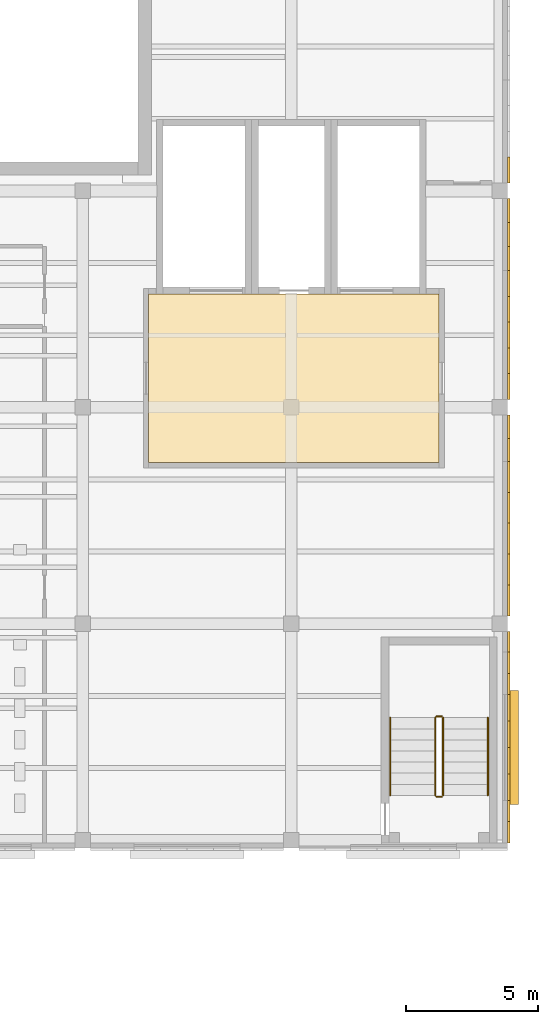
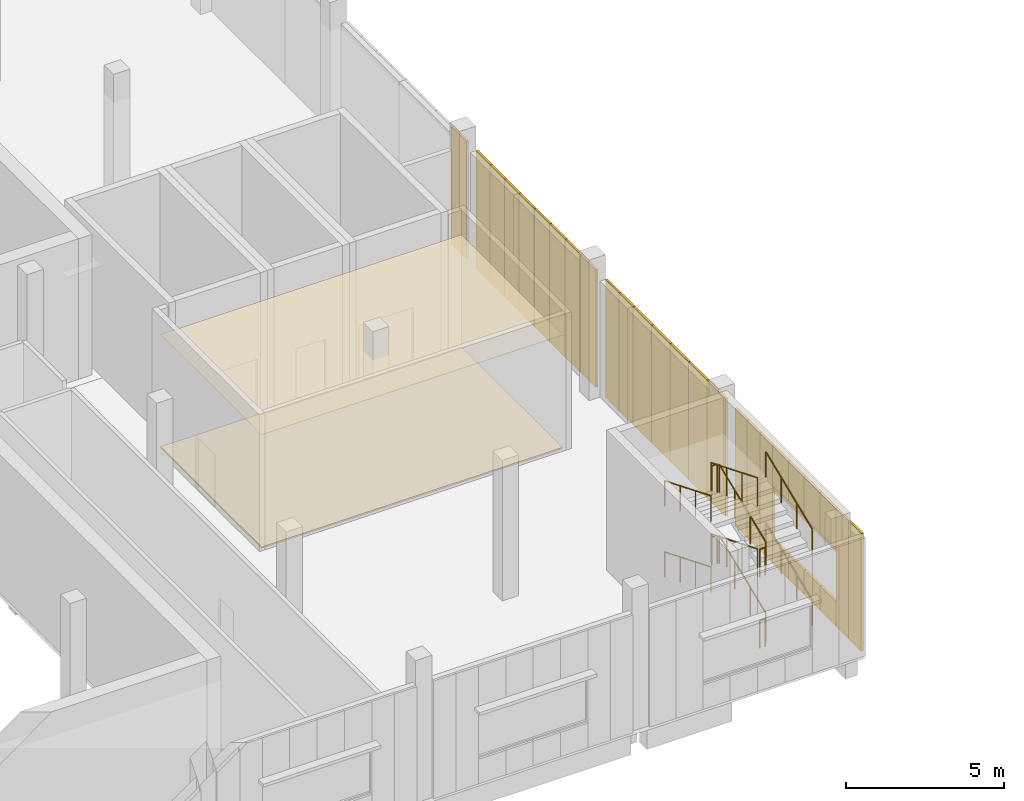
# One storey, part 108 of 112: 31 coverings, 12 railings, 1 shading device.
"""IFC4 building model written with IfcOpenShell, lengths in metres."""

from ifc_helpers import new_model, si_unit, direction, frame, origin, origin_2d, place, context, subcontext, project, spatial, polyline, rectangle, circle, outline, extrude, material, layer, layer_set, type_object, element, save


model = new_model("IFC4")

# Units and contexts
model_context = context("Model", 3, precision=1e-05, world=origin(), true_north=direction((0.0, 1.0)))
body_context = subcontext(model_context, "Body", "Model", "MODEL_VIEW")
ifc_project = project(units=[si_unit("LENGTHUNIT", "METRE"), si_unit("AREAUNIT", "SQUARE_METRE"), si_unit("VOLUMEUNIT", "CUBIC_METRE"), si_unit("PLANEANGLEUNIT", "RADIAN"), si_unit("MASSUNIT", "GRAM", prefix="KILO")], contexts=[model_context])

# Site, building, storey
site_placement = place(None, origin())
site = spatial("IfcSite", under=ifc_project, at=site_placement, CompositionType="ELEMENT")
building_placement = place(site_placement, origin())
building = spatial("IfcBuilding", under=site, at=building_placement, Name="Lunette Opera House", CompositionType="ELEMENT")
storey_placement = place(building_placement, frame((0.0, 0.0, 6.0)))
storey = spatial("IfcBuildingStorey", under=building, at=storey_placement, Name="L01", CompositionType="ELEMENT", Elevation=6.0)

# Coverings
ifc_material_1 = material(Name="Dark grey aluminium cassette", Category="aluminium")
ifc_layer_1 = layer(ifc_material_1, 0.080078125)
ifc_layer_set_1 = layer_set([ifc_layer_1], Name="Dark grey aluminium cassette")
covering_type_1 = type_object("IfcCoveringType", Name="DARK METAL CASSETTE 80", PredefinedType="CLADDING", material=ifc_layer_set_1)
for number, where, z_axis, x_axis, name in (
    (1, (184.0400390625, 78.60302734375, 0.0), (0.0, 0.0, 1.0), (0.0, 1.0, 0.0), "Dark Metal Cassette 80 WK L01"),
    (2, (184.0400390625, 79.408935546875, 0.0), (0.0, 0.0, 1.0), (0.0, 1.0, 0.0), "Dark Metal Cassette 80 WK L01"),
):
    element("IfcCovering", number, at=place(storey_placement, frame(where, z_axis=z_axis, x_axis=x_axis)), inside=storey, type_object=covering_type_1, Name=name, PredefinedType="CLADDING", context=body_context, shape_type="SweptSolid", body=[
        extrude(rectangle(XDim=0.805908203125, YDim=0.080078125, at=origin_2d()), origin(), (0.0, 0.0, 1.0), 4.550048828125),
    ])
covering_1_placement = place(storey_placement, frame((184.0400390625, 80.31201171875, 0.0), z_axis=(0.0, 0.0, 1.0), x_axis=(0.0, 1.0, 0.0)))
element("IfcCovering", 3, at=covering_1_placement, inside=storey, type_object=covering_type_1, Name="Dark Metal Cassette 80 WK L01", PredefinedType="CLADDING", context=body_context, shape_type="SweptSolid", body=[
    extrude(rectangle(XDim=1.0, YDim=0.080078125, at=origin_2d()), origin(), (0.0, 0.0, 1.0), 0.949951171875),
])
covering_2_placement = place(storey_placement, frame((184.0400390625, 80.31201171875, 3.0), z_axis=(0.0, 0.0, 1.0), x_axis=(0.0, 1.0, 0.0)))
element("IfcCovering", 4, at=covering_2_placement, inside=storey, type_object=covering_type_1, Name="Dark Metal Cassette 80 WK L01", PredefinedType="CLADDING", context=body_context, shape_type="SweptSolid", body=[
    extrude(rectangle(XDim=1.0, YDim=0.080078125, at=origin_2d()), origin(), (0.0, 0.0, 1.0), 1.550048828125),
])
covering_3_placement = place(storey_placement, frame((184.0400390625, 81.31201171875, 0.0), z_axis=(0.0, 0.0, 1.0), x_axis=(0.0, 1.0, 0.0)))
element("IfcCovering", 5, at=covering_3_placement, inside=storey, type_object=covering_type_1, Name="Dark Metal Cassette 80 WK L01", PredefinedType="CLADDING", context=body_context, shape_type="SweptSolid", body=[
    extrude(rectangle(XDim=1.0, YDim=0.080078125, at=origin_2d()), origin(), (0.0, 0.0, 1.0), 0.949951171875),
])
covering_4_placement = place(storey_placement, frame((184.0400390625, 81.31201171875, 3.0), z_axis=(0.0, 0.0, 1.0), x_axis=(0.0, 1.0, 0.0)))
element("IfcCovering", 6, at=covering_4_placement, inside=storey, type_object=covering_type_1, Name="Dark Metal Cassette 80 WK L01", PredefinedType="CLADDING", context=body_context, shape_type="SweptSolid", body=[
    extrude(rectangle(XDim=1.0, YDim=0.080078125, at=origin_2d()), origin(), (0.0, 0.0, 1.0), 1.550048828125),
])
covering_5_placement = place(storey_placement, frame((184.0400390625, 82.31201171875, 0.0), z_axis=(0.0, 0.0, 1.0), x_axis=(0.0, 1.0, 0.0)))
element("IfcCovering", 7, at=covering_5_placement, inside=storey, type_object=covering_type_1, Name="Dark Metal Cassette 80 WK L01", PredefinedType="CLADDING", context=body_context, shape_type="SweptSolid", body=[
    extrude(rectangle(XDim=1.0, YDim=0.080078125, at=origin_2d()), origin(), (0.0, 0.0, 1.0), 0.949951171875),
])
covering_6_placement = place(storey_placement, frame((184.0400390625, 82.31201171875, 3.0), z_axis=(0.0, 0.0, 1.0), x_axis=(0.0, 1.0, 0.0)))
element("IfcCovering", 8, at=covering_6_placement, inside=storey, type_object=covering_type_1, Name="Dark Metal Cassette 80 WK L01", PredefinedType="CLADDING", context=body_context, shape_type="SweptSolid", body=[
    extrude(rectangle(XDim=1.0, YDim=0.080078125, at=origin_2d()), origin(), (0.0, 0.0, 1.0), 1.550048828125),
])
covering_7_placement = place(storey_placement, frame((184.0400390625, 83.31201171875, 0.0), z_axis=(0.0, 0.0, 1.0), x_axis=(0.0, 1.0, 0.0)))
element("IfcCovering", 9, at=covering_7_placement, inside=storey, type_object=covering_type_1, Name="Dark Metal Cassette 80 WK L01", PredefinedType="CLADDING", context=body_context, shape_type="SweptSolid", body=[
    extrude(rectangle(XDim=1.0, YDim=0.080078125, at=origin_2d()), origin(), (0.0, 0.0, 1.0), 0.949951171875),
])
covering_8_placement = place(storey_placement, frame((184.0400390625, 83.31201171875, 3.0), z_axis=(0.0, 0.0, 1.0), x_axis=(0.0, 1.0, 0.0)))
element("IfcCovering", 10, at=covering_8_placement, inside=storey, type_object=covering_type_1, Name="Dark Metal Cassette 80 WK L01", PredefinedType="CLADDING", context=body_context, shape_type="SweptSolid", body=[
    extrude(rectangle(XDim=1.0, YDim=0.080078125, at=origin_2d()), origin(), (0.0, 0.0, 1.0), 1.550048828125),
])
for number, where, z_axis, x_axis, name in (
    (11, (184.0400390625, 84.215087890625, 0.0), (0.0, 0.0, 1.0), (0.0, 1.0, 0.0), "Dark Metal Cassette 80 WK L01"),
    (12, (184.0400390625, 85.02197265625, 0.0), (0.0, 0.0, 1.0), (0.0, 1.0, 0.0), "Dark Metal Cassette 80 WK L01"),
):
    element("IfcCovering", number, at=place(storey_placement, frame(where, z_axis=z_axis, x_axis=x_axis)), inside=storey, type_object=covering_type_1, Name=name, PredefinedType="CLADDING", context=body_context, shape_type="SweptSolid", body=[
        extrude(rectangle(XDim=0.805908203125, YDim=0.080078125, at=origin_2d()), origin(), (0.0, 0.0, 1.0), 4.550048828125),
    ])
covering_9_placement = place(storey_placement, frame((184.0400390625, 85.81201171875, 0.0), z_axis=(0.0, 0.0, 1.0), x_axis=(0.0, 1.0, 0.0)))
element("IfcCovering", 13, at=covering_9_placement, inside=storey, type_object=covering_type_1, Name="Dark Metal Cassette 80 WK L01", PredefinedType="CLADDING", context=body_context, shape_type="SweptSolid", body=[
    extrude(rectangle(XDim=0.77490234375, YDim=0.080078125, at=origin_2d()), origin(), (0.0, 0.0, 1.0), 4.550048828125),
])
for number, where, z_axis, x_axis, name in (
    (14, (184.0400390625, 87.385009765625, 0.0), (0.0, 0.0, 1.0), (0.0, 1.0, 0.0), "Dark Metal Cassette 80 WK L01"),
    (15, (184.0400390625, 88.554931640625, 0.0), (0.0, 0.0, 1.0), (0.0, 1.0, 0.0), "Dark Metal Cassette 80 WK L01"),
    (16, (184.0400390625, 89.72509765625, 0.0), (0.0, 0.0, 1.0), (0.0, 1.0, 0.0), "Dark Metal Cassette 80 WK L01"),
    (17, (184.0400390625, 90.89501953125, 0.0), (0.0, 0.0, 1.0), (0.0, 1.0, 0.0), "Dark Metal Cassette 80 WK L01"),
    (18, (184.0400390625, 92.06494140625, 0.0), (0.0, 0.0, 1.0), (0.0, 1.0, 0.0), "Dark Metal Cassette 80 WK L01"),
):
    element("IfcCovering", number, at=place(storey_placement, frame(where, z_axis=z_axis, x_axis=x_axis)), inside=storey, type_object=covering_type_1, Name=name, PredefinedType="CLADDING", context=body_context, shape_type="SweptSolid", body=[
        extrude(rectangle(XDim=1.169921875, YDim=0.080078125, at=origin_2d()), origin(), (0.0, 0.0, 1.0), 4.550048828125),
    ])
for number, where, z_axis, x_axis, name in (
    (19, (184.0400390625, 93.087890625, 0.0), (0.0, 0.0, 1.0), (0.0, 1.0, 0.0), "Dark Metal Cassette 80 WK L01"),
    (20, (184.0400390625, 93.962890625, 0.0), (0.0, 0.0, 1.0), (0.0, 1.0, 0.0), "Dark Metal Cassette 80 WK L01"),
):
    element("IfcCovering", number, at=place(storey_placement, frame(where, z_axis=z_axis, x_axis=x_axis)), inside=storey, type_object=covering_type_1, Name=name, PredefinedType="CLADDING", context=body_context, shape_type="SweptSolid", body=[
        extrude(rectangle(XDim=0.875, YDim=0.080078125, at=origin_2d()), origin(), (0.0, 0.0, 1.0), 4.550048828125),
    ])
for number, where, z_axis, x_axis, name in (
    (21, (184.0400390625, 95.487060546875, 0.0), (0.0, 0.0, 1.0), (0.0, 1.0, 0.0), "Dark Metal Cassette 80 WK L01"),
    (22, (184.0400390625, 96.462890625, 0.0), (0.0, 0.0, 1.0), (0.0, 1.0, 0.0), "Dark Metal Cassette 80 WK L01"),
    (23, (184.0400390625, 97.43798828125, 0.0), (0.0, 0.0, 1.0), (0.0, 1.0, 0.0), "Dark Metal Cassette 80 WK L01"),
    (24, (184.0400390625, 98.412109375, 0.0), (0.0, 0.0, 1.0), (0.0, 1.0, 0.0), "Dark Metal Cassette 80 WK L01"),
    (25, (184.0400390625, 99.387939453125, 0.0), (0.0, 0.0, 1.0), (0.0, 1.0, 0.0), "Dark Metal Cassette 80 WK L01"),
):
    element("IfcCovering", number, at=place(storey_placement, frame(where, z_axis=z_axis, x_axis=x_axis)), inside=storey, type_object=covering_type_1, Name=name, PredefinedType="CLADDING", context=body_context, shape_type="SweptSolid", body=[
        extrude(rectangle(XDim=0.97509765625, YDim=0.080078125, at=origin_2d()), origin(), (0.0, 0.0, 1.0), 4.550048828125),
    ])
for number, where, z_axis, x_axis, name in (
    (26, (184.0400390625, 100.3291015625, 0.0), (0.0, 0.0, 1.0), (0.0, 1.0, 0.0), "Dark Metal Cassette 80 WK L01"),
    (27, (184.0400390625, 101.237060546875, 0.0), (0.0, 0.0, 1.0), (0.0, 1.0, 0.0), "Dark Metal Cassette 80 WK L01"),
    (28, (184.0400390625, 102.14599609375, 0.0), (0.0, 0.0, 1.0), (0.0, 1.0, 0.0), "Dark Metal Cassette 80 WK L01"),
):
    element("IfcCovering", number, at=place(storey_placement, frame(where, z_axis=z_axis, x_axis=x_axis)), inside=storey, type_object=covering_type_1, Name=name, PredefinedType="CLADDING", context=body_context, shape_type="SweptSolid", body=[
        extrude(rectangle(XDim=0.907958984375, YDim=0.080078125, at=origin_2d()), origin(), (0.0, 0.0, 1.0), 4.550048828125),
    ])
covering_10_placement = place(storey_placement, frame((184.0400390625, 103.68798828125, 0.0), z_axis=(0.0, 0.0, 1.0), x_axis=(0.0, 1.0, 0.0)))
element("IfcCovering", 29, at=covering_10_placement, inside=storey, type_object=covering_type_1, Name="Dark Metal Cassette 80 WK L01", PredefinedType="CLADDING", context=body_context, shape_type="SweptSolid", body=[
    extrude(rectangle(XDim=0.97509765625, YDim=0.080078125, at=origin_2d()), origin(), (0.0, 0.0, 1.0), 4.550048828125),
])

# Railings
ifc_material_2 = material(Name="Steel S355", Category="steel")
railing_type_1 = type_object("IfcRailingType", Name="STAIR GUARD 1100", PredefinedType="GUARDRAIL", material=ifc_material_2)
railing_1_placement = place(storey_placement, frame((181.550048828125, 80.0, 0.171875)))
element("IfcRailing", 30, at=railing_1_placement, inside=storey, type_object=railing_type_1, Name="L01 ST20 stair guard 1", PredefinedType="GUARDRAIL", context=body_context, shape_type="SweptSolid", body=[
    extrude(circle(Radius=0.02392578125, at=origin_2d()), frame((0.0, 0.0, 1.076171875), z_axis=(0.0, 0.925500427511, 0.378746562595), x_axis=(-1.0, 0.0, 0.0)), (0.0, 0.0, 1.0), 3.176513671875),
    extrude(circle(Radius=0.02099609375, at=origin_2d()), origin(), (0.0, 0.0, 1.0), 1.052001953125),
    extrude(circle(Radius=0.02099609375, at=origin_2d()), frame((0.0, 0.97998046875, 0.401123046875)), (0.0, 0.0, 1.0), 1.052001953125),
    extrude(circle(Radius=0.02099609375, at=origin_2d()), frame((0.0, 1.9599609375, 0.802001953125)), (0.0, 0.0, 1.0), 1.052001953125),
    extrude(circle(Radius=0.02099609375, at=origin_2d()), frame((0.0, 2.93994140625, 1.203125)), (0.0, 0.0, 1.0), 1.052001953125),
])
railing_2_placement = place(storey_placement, frame((181.5, 82.989990234375, 1.375)))
element("IfcRailing", 31, at=railing_2_placement, inside=storey, type_object=railing_type_1, Name="L01 ST20 stair guard 2", PredefinedType="GUARDRAIL", context=body_context, shape_type="SweptSolid", body=[
    extrude(circle(Radius=0.02392578125, at=origin_2d()), frame((0.0, 0.0, 1.076171875), z_axis=(-1.0, 0.0, 0.0), x_axis=(0.0, -1.0, 0.0)), (0.0, 0.0, 1.0), 0.199951171875),
    extrude(circle(Radius=0.02099609375, at=origin_2d()), origin(), (0.0, 0.0, 1.0), 1.052001953125),
    extrude(circle(Radius=0.02099609375, at=origin_2d()), frame((-0.199951171875, 0.0, 0.0)), (0.0, 0.0, 1.0), 1.052001953125),
])
railing_3_placement = place(storey_placement, frame((181.25, 82.93994140625, 1.546875)))
element("IfcRailing", 32, at=railing_3_placement, inside=storey, type_object=railing_type_1, Name="L01 ST20 stair guard 3", PredefinedType="GUARDRAIL", context=body_context, shape_type="SweptSolid", body=[
    extrude(circle(Radius=0.02392578125, at=origin_2d()), frame((0.0, 0.0, 1.076171875), z_axis=(0.0, -0.925500427511, 0.378746562595), x_axis=(1.0, 0.0, 0.0)), (0.0, 0.0, 1.0), 3.176513671875),
    extrude(circle(Radius=0.02099609375, at=origin_2d()), origin(), (0.0, 0.0, 1.0), 1.052001953125),
    extrude(circle(Radius=0.02099609375, at=origin_2d()), frame((0.0, -0.97998046875, 0.401123046875)), (0.0, 0.0, 1.0), 1.052001953125),
    extrude(circle(Radius=0.02099609375, at=origin_2d()), frame((0.0, -1.9599609375, 0.802001953125)), (0.0, 0.0, 1.0), 1.052001953125),
    extrude(circle(Radius=0.02099609375, at=origin_2d()), frame((0.0, -2.93994140625, 1.203125)), (0.0, 0.0, 1.0), 1.052001953125),
])
railing_4_placement = place(storey_placement, frame((181.5, 79.949951171875, 2.75)))
element("IfcRailing", 33, at=railing_4_placement, inside=storey, type_object=railing_type_1, Name="L01 ST20 stair guard 4", PredefinedType="GUARDRAIL", context=body_context, shape_type="SweptSolid", body=[
    extrude(circle(Radius=0.02392578125, at=origin_2d()), frame((0.0, 0.0, 1.076171875), z_axis=(-1.0, 0.0, 0.0), x_axis=(0.0, -1.0, 0.0)), (0.0, 0.0, 1.0), 0.199951171875),
    extrude(circle(Radius=0.02099609375, at=origin_2d()), origin(), (0.0, 0.0, 1.0), 1.052001953125),
    extrude(circle(Radius=0.02099609375, at=origin_2d()), frame((-0.199951171875, 0.0, 0.0)), (0.0, 0.0, 1.0), 1.052001953125),
])
railing_5_placement = place(storey_placement, frame((181.550048828125, 80.0, 2.921875)))
element("IfcRailing", 34, at=railing_5_placement, inside=storey, type_object=railing_type_1, Name="L01 ST20 stair guard 5", PredefinedType="GUARDRAIL", context=body_context, shape_type="SweptSolid", body=[
    extrude(circle(Radius=0.02392578125, at=origin_2d()), frame((0.0, 0.0, 1.076171875), z_axis=(0.0, 0.925500427511, 0.378746562595), x_axis=(-1.0, 0.0, 0.0)), (0.0, 0.0, 1.0), 3.176513671875),
    extrude(circle(Radius=0.02099609375, at=origin_2d()), origin(), (0.0, 0.0, 1.0), 1.052001953125),
    extrude(circle(Radius=0.02099609375, at=origin_2d()), frame((0.0, 0.97998046875, 0.401123046875)), (0.0, 0.0, 1.0), 1.052001953125),
    extrude(circle(Radius=0.02099609375, at=origin_2d()), frame((0.0, 1.9599609375, 0.802001953125)), (0.0, 0.0, 1.0), 1.052001953125),
    extrude(circle(Radius=0.02099609375, at=origin_2d()), frame((0.0, 2.93994140625, 1.203125)), (0.0, 0.0, 1.0), 1.052001953125),
])
railing_6_placement = place(storey_placement, frame((181.5, 82.989990234375, 4.125)))
element("IfcRailing", 35, at=railing_6_placement, inside=storey, type_object=railing_type_1, Name="L01 ST20 stair guard 6", PredefinedType="GUARDRAIL", context=body_context, shape_type="SweptSolid", body=[
    extrude(circle(Radius=0.02392578125, at=origin_2d()), frame((0.0, 0.0, 1.076171875), z_axis=(-1.0, 0.0, 0.0), x_axis=(0.0, -1.0, 0.0)), (0.0, 0.0, 1.0), 0.199951171875),
    extrude(circle(Radius=0.02099609375, at=origin_2d()), origin(), (0.0, 0.0, 1.0), 1.052001953125),
    extrude(circle(Radius=0.02099609375, at=origin_2d()), frame((-0.199951171875, 0.0, 0.0)), (0.0, 0.0, 1.0), 1.052001953125),
])
railing_7_placement = place(storey_placement, frame((181.25, 82.93994140625, 4.296875)))
element("IfcRailing", 36, at=railing_7_placement, inside=storey, type_object=railing_type_1, Name="L01 ST20 stair guard 7", PredefinedType="GUARDRAIL", context=body_context, shape_type="SweptSolid", body=[
    extrude(circle(Radius=0.02392578125, at=origin_2d()), frame((0.0, 0.0, 1.076171875), z_axis=(0.0, -0.925500427511, 0.378746562595), x_axis=(1.0, 0.0, 0.0)), (0.0, 0.0, 1.0), 3.176513671875),
    extrude(circle(Radius=0.02099609375, at=origin_2d()), origin(), (0.0, 0.0, 1.0), 1.052001953125),
    extrude(circle(Radius=0.02099609375, at=origin_2d()), frame((0.0, -0.97998046875, 0.401123046875)), (0.0, 0.0, 1.0), 1.052001953125),
    extrude(circle(Radius=0.02099609375, at=origin_2d()), frame((0.0, -1.9599609375, 0.802001953125)), (0.0, 0.0, 1.0), 1.052001953125),
    extrude(circle(Radius=0.02099609375, at=origin_2d()), frame((0.0, -2.93994140625, 1.203125)), (0.0, 0.0, 1.0), 1.052001953125),
])
railing_8_placement = place(storey_placement, frame((181.5, 79.949951171875, 0.0)))
element("IfcRailing", 37, at=railing_8_placement, inside=storey, type_object=railing_type_1, Name="L01 ST20 stair guard 8", PredefinedType="GUARDRAIL", context=body_context, shape_type="SweptSolid", body=[
    extrude(circle(Radius=0.02392578125, at=origin_2d()), frame((0.0, 0.0, 1.076171875), z_axis=(-1.0, 0.0, 0.0), x_axis=(0.0, -1.0, 0.0)), (0.0, 0.0, 1.0), 0.199951171875),
    extrude(circle(Radius=0.02099609375, at=origin_2d()), origin(), (0.0, 0.0, 1.0), 1.052001953125),
    extrude(circle(Radius=0.02099609375, at=origin_2d()), frame((-0.199951171875, 0.0, 0.0)), (0.0, 0.0, 1.0), 1.052001953125),
])
ifc_material_3 = material(Name="Steel S355", Category="steel")
railing_type_2 = type_object("IfcRailingType", Name="STAIR HANDRAIL 1000", PredefinedType="HANDRAIL", material=ifc_material_3)
railing_9_placement = place(storey_placement, frame((183.25, 80.0, 0.171875)))
element("IfcRailing", 38, at=railing_9_placement, inside=storey, type_object=railing_type_2, Name="L01 ST20 stair handrail 1", PredefinedType="HANDRAIL", context=body_context, shape_type="SweptSolid", body=[
    extrude(circle(Radius=0.02392578125, at=origin_2d()), frame((0.0, 0.0, 0.97607421875), z_axis=(0.0, 0.925500427511, 0.378746562595), x_axis=(-1.0, 0.0, 0.0)), (0.0, 0.0, 1.0), 3.176513671875),
    extrude(circle(Radius=0.02099609375, at=origin_2d()), origin(), (0.0, 0.0, 1.0), 0.951904296875),
    extrude(circle(Radius=0.02099609375, at=origin_2d()), frame((0.0, 0.97998046875, 0.401123046875)), (0.0, 0.0, 1.0), 0.951904296875),
    extrude(circle(Radius=0.02099609375, at=origin_2d()), frame((0.0, 1.9599609375, 0.802001953125)), (0.0, 0.0, 1.0), 0.951904296875),
    extrude(circle(Radius=0.02099609375, at=origin_2d()), frame((0.0, 2.93994140625, 1.203125)), (0.0, 0.0, 1.0), 0.951904296875),
])
railing_10_placement = place(storey_placement, frame((179.550048828125, 82.93994140625, 1.546875)))
element("IfcRailing", 39, at=railing_10_placement, inside=storey, type_object=railing_type_2, Name="L01 ST20 stair handrail 2", PredefinedType="HANDRAIL", context=body_context, shape_type="SweptSolid", body=[
    extrude(circle(Radius=0.02392578125, at=origin_2d()), frame((0.0, 0.0, 0.97607421875), z_axis=(0.0, -0.925500427511, 0.378746562595), x_axis=(1.0, 0.0, 0.0)), (0.0, 0.0, 1.0), 3.176513671875),
    extrude(circle(Radius=0.02099609375, at=origin_2d()), origin(), (0.0, 0.0, 1.0), 0.951904296875),
    extrude(circle(Radius=0.02099609375, at=origin_2d()), frame((0.0, -0.97998046875, 0.401123046875)), (0.0, 0.0, 1.0), 0.951904296875),
    extrude(circle(Radius=0.02099609375, at=origin_2d()), frame((0.0, -1.9599609375, 0.802001953125)), (0.0, 0.0, 1.0), 0.951904296875),
    extrude(circle(Radius=0.02099609375, at=origin_2d()), frame((0.0, -2.93994140625, 1.203125)), (0.0, 0.0, 1.0), 0.951904296875),
])
railing_11_placement = place(storey_placement, frame((183.25, 80.0, 2.921875)))
element("IfcRailing", 40, at=railing_11_placement, inside=storey, type_object=railing_type_2, Name="L01 ST20 stair handrail 3", PredefinedType="HANDRAIL", context=body_context, shape_type="SweptSolid", body=[
    extrude(circle(Radius=0.02392578125, at=origin_2d()), frame((0.0, 0.0, 0.97607421875), z_axis=(0.0, 0.925500427511, 0.378746562595), x_axis=(-1.0, 0.0, 0.0)), (0.0, 0.0, 1.0), 3.176513671875),
    extrude(circle(Radius=0.02099609375, at=origin_2d()), origin(), (0.0, 0.0, 1.0), 0.951904296875),
    extrude(circle(Radius=0.02099609375, at=origin_2d()), frame((0.0, 0.97998046875, 0.401123046875)), (0.0, 0.0, 1.0), 0.951904296875),
    extrude(circle(Radius=0.02099609375, at=origin_2d()), frame((0.0, 1.9599609375, 0.802001953125)), (0.0, 0.0, 1.0), 0.951904296875),
    extrude(circle(Radius=0.02099609375, at=origin_2d()), frame((0.0, 2.93994140625, 1.203125)), (0.0, 0.0, 1.0), 0.951904296875),
])
railing_12_placement = place(storey_placement, frame((179.550048828125, 82.93994140625, 4.296875)))
element("IfcRailing", 41, at=railing_12_placement, inside=storey, type_object=railing_type_2, Name="L01 ST20 stair handrail 4", PredefinedType="HANDRAIL", context=body_context, shape_type="SweptSolid", body=[
    extrude(circle(Radius=0.02392578125, at=origin_2d()), frame((0.0, 0.0, 0.97607421875), z_axis=(0.0, -0.925500427511, 0.378746562595), x_axis=(1.0, 0.0, 0.0)), (0.0, 0.0, 1.0), 3.176513671875),
    extrude(circle(Radius=0.02099609375, at=origin_2d()), origin(), (0.0, 0.0, 1.0), 0.951904296875),
    extrude(circle(Radius=0.02099609375, at=origin_2d()), frame((0.0, -0.97998046875, 0.401123046875)), (0.0, 0.0, 1.0), 0.951904296875),
    extrude(circle(Radius=0.02099609375, at=origin_2d()), frame((0.0, -1.9599609375, 0.802001953125)), (0.0, 0.0, 1.0), 0.951904296875),
    extrude(circle(Radius=0.02099609375, at=origin_2d()), frame((0.0, -2.93994140625, 1.203125)), (0.0, 0.0, 1.0), 0.951904296875),
])

# Coverings
ifc_material_4 = material(Name="Mineral fibre board")
ifc_layer_2 = layer(ifc_material_4, 0.014892578125)
ifc_layer_set_2 = layer_set([ifc_layer_2], Name="Mineral fibre board")
covering_type_2 = type_object("IfcCoveringType", Name="SUSPENDED ACOUSTIC CEILING 15", PredefinedType="CEILING", material=ifc_layer_set_2)
covering_11_placement = place(storey_placement, frame((0.0, 0.0, 4.385009765625)))
element("IfcCovering", 42, at=covering_11_placement, inside=storey, type_object=covering_type_2, Name="Ceiling Lift Lobby L01 Goods", PredefinedType="CEILING", context=body_context, shape_type="SweptSolid", body=[
    extrude(outline(polyline([(181.39990234375, 92.60009765625), (181.39990234375, 99.0), (170.39990234375, 99.0), (170.39990234375, 92.60009765625), (181.39990234375, 92.60009765625)])), origin(), (0.0, 0.0, 1.0), 0.014892578125),
])
ifc_material_5 = material(Name="Terrazzo")
ifc_layer_3 = layer(ifc_material_5, 0.06005859375)
ifc_layer_set_3 = layer_set([ifc_layer_3], Name="Terrazzo")
covering_type_3 = type_object("IfcCoveringType", Name="TERRAZZO FLOOR FINISH 60", PredefinedType="FLOORING", material=ifc_layer_set_3)
covering_12_placement = place(storey_placement, origin())
element("IfcCovering", 43, at=covering_12_placement, inside=storey, type_object=covering_type_3, Name="Floor finish Lift Lobby L01 Goods", PredefinedType="FLOORING", context=body_context, shape_type="SweptSolid", body=[
    extrude(outline(polyline([(181.39990234375, 92.60009765625), (181.39990234375, 99.0), (170.39990234375, 99.0), (170.39990234375, 92.60009765625), (181.39990234375, 92.60009765625)])), origin(), (0.0, 0.0, 1.0), 0.06005859375),
])

# Shading device
ifc_material_6 = material(Name="Powder-coated aluminium", Category="aluminium")
ifc_layer_4 = layer(ifc_material_6, 0.1201171875)
ifc_layer_set_4 = layer_set([ifc_layer_4], Name="Powder-coated aluminium")
shading_device_type = type_object("IfcShadingDeviceType", Name="WINDOW HOOD 400 X 4300", PredefinedType="USERDEFINED", material=ifc_layer_set_4)
shading_device_placement = place(storey_placement, frame((184.199951171875, 81.81201171875, 2.8798828125), z_axis=(0.0, 0.0, 1.0), x_axis=(1.0, 0.0, 0.0)))
element("IfcShadingDevice", 44, at=shading_device_placement, inside=storey, type_object=shading_device_type, Name="Window hood WW-N2001", ObjectType="WINDOW HOOD", PredefinedType="USERDEFINED", context=body_context, shape_type="SweptSolid", body=[
    extrude(rectangle(XDim=0.39990234375, YDim=4.300048828125, at=origin_2d()), origin(), (0.0, 0.0, 1.0), 0.1201171875),
])

save(model, "model.ifc")
